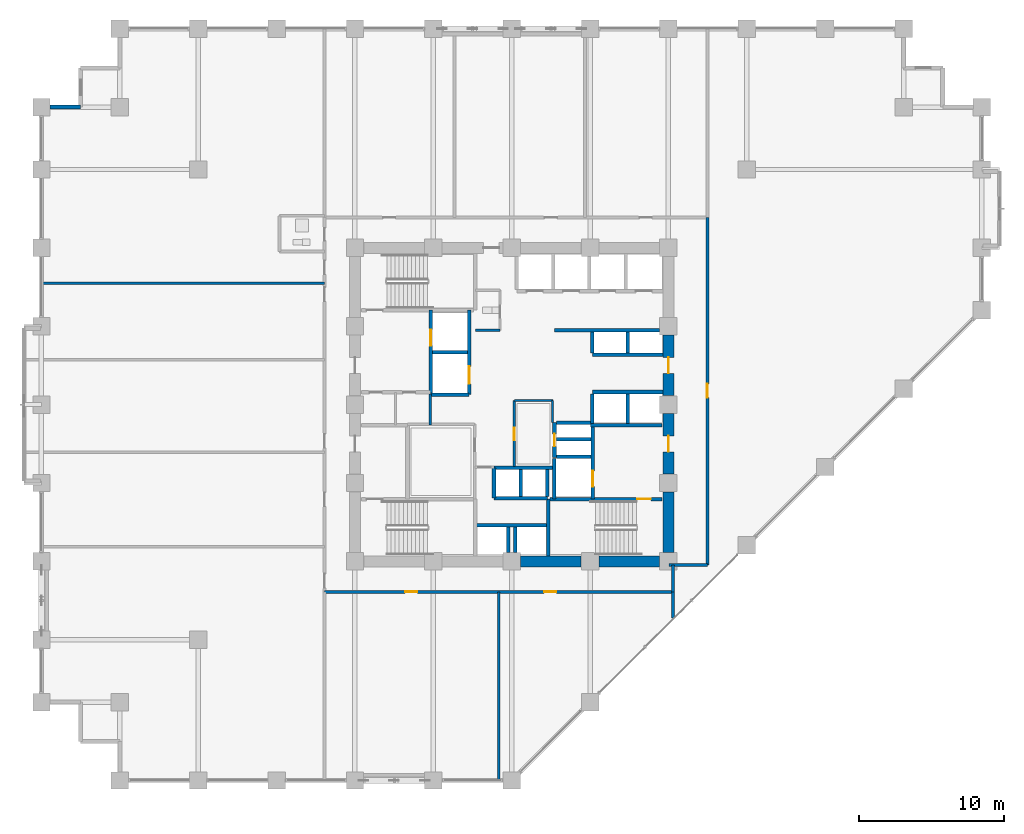
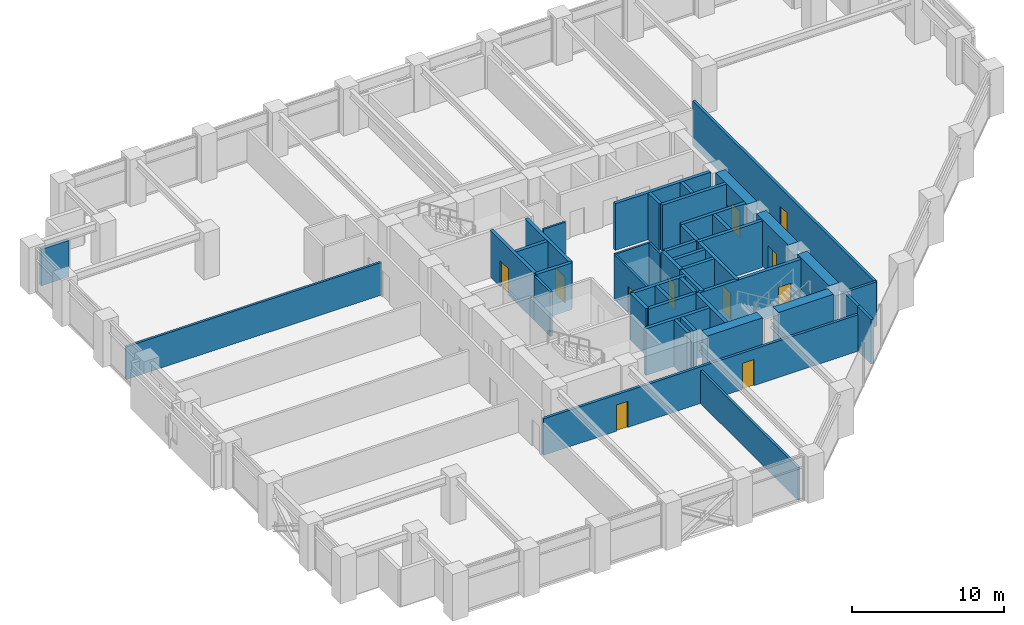
# One storey, part 20 of 26: 46 walls, 11 doors, 11 openings.
"""IFC4 building model written with IfcOpenShell, lengths in metres."""

from ifc_helpers import new_model, si_unit, direction, frame, frame_2d, origin, place, context, subcontext, project, spatial, rectangle, extrude, material, layer, layer_set, type_object, element, fill, save


model = new_model("IFC4")

# Units and contexts
model_context = context("Model", 3, precision=1e-05, world=origin(), true_north=direction((0.0, 1.0)))
body_context = subcontext(model_context, "Body", "Model", "MODEL_VIEW")
ifc_project = project(units=[si_unit("LENGTHUNIT", "METRE"), si_unit("AREAUNIT", "SQUARE_METRE"), si_unit("VOLUMEUNIT", "CUBIC_METRE"), si_unit("PLANEANGLEUNIT", "RADIAN"), si_unit("MASSUNIT", "GRAM", prefix="KILO")], contexts=[model_context])

# Site, building, storey
site_placement = place(None, origin())
site = spatial("IfcSite", under=ifc_project, at=site_placement, CompositionType="ELEMENT")
building_placement = place(site_placement, origin())
building = spatial("IfcBuilding", under=site, at=building_placement, Name="Surkhivell Harbour Commons", CompositionType="ELEMENT")
storey_placement = place(building_placement, frame((0.0, 0.0, 60.0)))
storey = spatial("IfcBuildingStorey", under=building, at=storey_placement, Name="L15", CompositionType="ELEMENT", Elevation=60.0)

# Wall
ifc_material_1 = material(Name="Concrete C60/75", Category="concrete")
ifc_layer_1 = layer(ifc_material_1, 0.75)
ifc_layer_set_1 = layer_set([ifc_layer_1], Name="Concrete C60/75")
wall_type_1 = type_object("IfcWallType", Name="WAL-CORE-750", PredefinedType="SHEAR", material=ifc_layer_set_1)
wall_1_placement = place(storey_placement, frame((10.800048828125, -10.18994140625, 0.0), z_axis=(0.0, 0.0, 1.0), x_axis=(0.0, 1.0, 0.0)))
element("IfcWall", 1, at=wall_1_placement, inside=storey, type_object=wall_type_1, Name="L15 Core Shear Wall East 1", PredefinedType="SHEAR", context=body_context, shape_type="SweptSolid", body=[
    extrude(rectangle(XDim=4.179931640625, YDim=0.75, at=frame_2d((2.08984375, 0.0))), origin(), (0.0, 0.0, 1.0), 3.75),
])

# Wall, opening, door
wall_2_placement = place(storey_placement, frame((10.800048828125, -4.7900390625, 0.0), z_axis=(0.0, 0.0, 1.0), x_axis=(0.0, 1.0, 0.0)))
wall_2 = element("IfcWall", 2, at=wall_2_placement, inside=storey, type_object=wall_type_1, Name="L15 Core Shear Wall East 2", PredefinedType="SHEAR", context=body_context, shape_type="SweptSolid", body=[
    extrude(rectangle(XDim=4.179931640625, YDim=0.75, at=frame_2d((2.08984375, 0.0))), origin(), (0.0, 0.0, 1.0), 3.75),
])
opening_1_placement = place(wall_2_placement, frame((1.5400390625, 0.0, 0.0)))
opening_1 = element("IfcOpeningElement", 3, at=opening_1_placement, cuts=wall_2, Name="Opening ID-1", PredefinedType="OPENING", context=body_context, shape_type="SweptSolid", body=[
    extrude(rectangle(XDim=1.10009765625, YDim=2.10009765625, at=frame_2d((0.550048828125, 1.050048828125))), frame((0.0, 0.385009765625, 0.0), z_axis=(0.0, -1.0, 0.0), x_axis=(1.0, 0.0, 0.0)), (0.0, 0.0, 1.0), 0.77001953125),
])
ifc_material_2 = material(Name="Hardwood-veneered fire-rated door leaf", Category="wood")
door_type_1 = type_object("IfcDoorType", Name="DOR-FD120-1100", OperationType="NOTDEFINED", PredefinedType="DOOR", material=ifc_material_2)
door_1_placement = place(opening_1_placement, origin())
door_1 = element("IfcDoor", 4, at=door_1_placement, inside=storey, type_object=door_type_1, Name="L15 Firefighting Lobby 2 Corridor Door", OperationType="SINGLE_SWING_RIGHT", OverallHeight=2.10009765625, OverallWidth=1.10009765625, PredefinedType="DOOR", context=body_context, shape_type="SweptSolid", body=[
    extrude(rectangle(XDim=1.10009765625, YDim=2.10009765625, at=frame_2d((0.550048828125, 1.050048828125))), frame((0.0, 0.02490234375, 0.0), z_axis=(0.0, -1.0, 0.0), x_axis=(1.0, 0.0, 0.0)), (0.0, 0.0, 1.0), 0.050048828125),
])
fill(opening_1, door_1)

# Wall
wall_3_placement = place(storey_placement, frame((0.610107421875, -10.800048828125, 0.0), z_axis=(0.0, 0.0, 1.0), x_axis=(1.0, 0.0, 0.0)))
element("IfcWall", 5, at=wall_3_placement, inside=storey, type_object=wall_type_1, Name="L15 Core Shear Wall South 3", PredefinedType="SHEAR", context=body_context, shape_type="SweptSolid", body=[
    extrude(rectangle(XDim=4.179931640625, YDim=0.75, at=frame_2d((2.08984375, 0.0))), origin(), (0.0, 0.0, 1.0), 3.75),
])

# Wall, opening, door
wall_4_placement = place(storey_placement, frame((10.800048828125, 0.610107421875, 0.0), z_axis=(0.0, 0.0, 1.0), x_axis=(0.0, 1.0, 0.0)))
wall_4 = element("IfcWall", 6, at=wall_4_placement, inside=storey, type_object=wall_type_1, Name="L15 Core Shear Wall East 3", PredefinedType="SHEAR", context=body_context, shape_type="SweptSolid", body=[
    extrude(rectangle(XDim=4.179931640625, YDim=0.75, at=frame_2d((2.08984375, 0.0))), origin(), (0.0, 0.0, 1.0), 3.75),
])
opening_2_placement = place(wall_4_placement, frame((1.5400390625, 0.0, 0.0)))
opening_2 = element("IfcOpeningElement", 7, at=opening_2_placement, cuts=wall_4, Name="Opening ID-2", PredefinedType="OPENING", context=body_context, shape_type="SweptSolid", body=[
    extrude(rectangle(XDim=1.10009765625, YDim=2.10009765625, at=frame_2d((0.550048828125, 1.050048828125))), frame((0.0, 0.385009765625, 0.0), z_axis=(0.0, -1.0, 0.0), x_axis=(1.0, 0.0, 0.0)), (0.0, 0.0, 1.0), 0.77001953125),
])
door_type_2 = type_object("IfcDoorType", Name="DOR-FD60-1100", OperationType="NOTDEFINED", PredefinedType="DOOR", material=ifc_material_2)
door_2_placement = place(opening_2_placement, origin())
door_2 = element("IfcDoor", 8, at=door_2_placement, inside=storey, type_object=door_type_2, Name="L15 Mid-Rise Lobby East Door", OperationType="SINGLE_SWING_LEFT", OverallHeight=2.10009765625, OverallWidth=1.10009765625, PredefinedType="DOOR", context=body_context, shape_type="SweptSolid", body=[
    extrude(rectangle(XDim=1.10009765625, YDim=2.10009765625, at=frame_2d((0.550048828125, 1.050048828125))), frame((0.0, 0.02490234375, 0.0), z_axis=(0.0, -1.0, 0.0), x_axis=(1.0, 0.0, 0.0)), (0.0, 0.0, 1.0), 0.050048828125),
])
fill(opening_2, door_2)

# Walls
wall_5_placement = place(storey_placement, frame((6.010009765625, -10.800048828125, 0.0), z_axis=(0.0, 0.0, 1.0), x_axis=(1.0, 0.0, 0.0)))
element("IfcWall", 9, at=wall_5_placement, inside=storey, type_object=wall_type_1, Name="L15 Core Shear Wall South 4", PredefinedType="SHEAR", context=body_context, shape_type="SweptSolid", body=[
    extrude(rectangle(XDim=4.179931640625, YDim=0.75, at=frame_2d((2.08984375, 0.0))), origin(), (0.0, 0.0, 1.0), 3.75),
])
ifc_material_3 = material(Name="Terracotta-clad reinforced concrete C45/55", Category="masonry")
ifc_layer_2 = layer(ifc_material_3, 0.280029296875)
ifc_layer_set_2 = layer_set([ifc_layer_2], Name="Terracotta-clad reinforced concrete C45/55")
wall_type_2 = type_object("IfcWallType", Name="WAL-EXT-TER280", PredefinedType="STANDARD", material=ifc_layer_set_2)
wall_6_placement = place(storey_placement, frame((-29.699951171875, 20.5, 0.0), z_axis=(0.0, 0.0, 1.0), x_axis=(-1.0, 0.0, 0.0)))
element("IfcWall", 10, at=wall_6_placement, inside=storey, type_object=wall_type_2, Name="L15 Serrated Corner Facade Wall 11", PredefinedType="STANDARD", context=body_context, shape_type="SweptSolid", body=[
    extrude(rectangle(XDim=2.10205078125, YDim=0.280029296875, at=frame_2d((1.051025390625, 0.0))), origin(), (0.0, 0.0, 1.0), 2.929931640625),
])
ifc_material_4 = material(Name="Twin-stud acoustic fireboard partition", Category="other")
ifc_layer_3 = layer(ifc_material_4, 0.14990234375)
ifc_layer_set_3 = layer_set([ifc_layer_3], Name="Twin-stud acoustic fireboard partition")
wall_type_3 = type_object("IfcWallType", Name="WAL-INT-150", PredefinedType="PARTITIONING", material=ifc_layer_set_3)
wall_7_placement = place(storey_placement, frame((-2.47998046875, 5.1201171875, 0.0), z_axis=(0.0, 0.0, 1.0), x_axis=(1.0, 0.0, 0.0)))
element("IfcWall", 11, at=wall_7_placement, inside=storey, type_object=wall_type_3, Name="L15 Core Accessible WC South Wall", PredefinedType="PARTITIONING", context=body_context, shape_type="SweptSolid", body=[
    extrude(rectangle(XDim=1.679931640625, YDim=0.14990234375, at=frame_2d((0.83984375, 0.0))), origin(), (0.0, 0.0, 1.0), 3.570068359375),
])
wall_8_placement = place(storey_placement, frame((2.820068359375, -1.25, 0.0), z_axis=(0.0, 0.0, 1.0), x_axis=(0.0, 1.0, 0.0)))
element("IfcWall", 12, at=wall_8_placement, inside=storey, type_object=wall_type_3, Name="L15 Central Music East Wall", PredefinedType="PARTITIONING", context=body_context, shape_type="SweptSolid", body=[
    extrude(rectangle(XDim=1.530029296875, YDim=0.14990234375, at=frame_2d((0.76513671875, 0.0))), origin(), (0.0, 0.0, 1.0), 3.570068359375),
])
wall_9_placement = place(storey_placement, frame((0.179931640625, 0.280029296875, 0.0), z_axis=(0.0, 0.0, 1.0), x_axis=(1.0, 0.0, 0.0)))
element("IfcWall", 13, at=wall_9_placement, inside=storey, type_object=wall_type_3, Name="L15 Central Music North Wall", PredefinedType="PARTITIONING", context=body_context, shape_type="SweptSolid", body=[
    extrude(rectangle(XDim=2.670166015625, YDim=0.14990234375, at=frame_2d((1.3349609375, 0.0))), origin(), (0.0, 0.0, 1.0), 3.570068359375),
])

# Wall, opening, door
wall_10_placement = place(storey_placement, frame((0.179931640625, -4.25, 0.0), z_axis=(0.0, 0.0, 1.0), x_axis=(0.0, 1.0, 0.0)))
wall_10 = element("IfcWall", 14, at=wall_10_placement, inside=storey, type_object=wall_type_3, Name="L15 Central Music West Wall", PredefinedType="PARTITIONING", context=body_context, shape_type="SweptSolid", body=[
    extrude(rectangle(XDim=4.530029296875, YDim=0.14990234375, at=frame_2d((2.26513671875, 0.0))), origin(), (0.0, 0.0, 1.0), 3.570068359375),
])
opening_3_placement = place(wall_10_placement, frame((1.800048828125, 0.0, 0.0)))
opening_3 = element("IfcOpeningElement", 15, at=opening_3_placement, cuts=wall_10, Name="Opening ID-6", PredefinedType="OPENING", context=body_context, shape_type="SweptSolid", body=[
    extrude(rectangle(XDim=0.85009765625, YDim=2.10009765625, at=frame_2d((0.425048828125, 1.050048828125))), frame((0.0, 0.0849609375, 0.0), z_axis=(0.0, -1.0, 0.0), x_axis=(1.0, 0.0, 0.0)), (0.0, 0.0, 1.0), 0.169921875),
])
door_type_3 = type_object("IfcDoorType", Name="DOR-FD30-850", OperationType="NOTDEFINED", PredefinedType="DOOR", material=ifc_material_2)
door_3_placement = place(opening_3_placement, origin())
door_3 = element("IfcDoor", 16, at=door_3_placement, inside=storey, type_object=door_type_3, Name="L15 Central Music Door", OperationType="SINGLE_SWING_RIGHT", OverallHeight=2.10009765625, OverallWidth=0.85009765625, PredefinedType="DOOR", context=body_context, shape_type="SweptSolid", body=[
    extrude(rectangle(XDim=0.85009765625, YDim=2.10009765625, at=frame_2d((0.425048828125, 1.050048828125))), frame((0.0, 0.02490234375, 0.0), z_axis=(0.0, -1.0, 0.0), x_axis=(1.0, 0.0, 0.0)), (0.0, 0.0, 1.0), 0.050048828125),
])
fill(opening_3, door_3)

# Walls
ifc_material_5 = material(Name="High-density acoustic blockwork fire partition", Category="masonry")
ifc_layer_4 = layer(ifc_material_5, 0.175048828125)
ifc_layer_set_4 = layer_set([ifc_layer_4], Name="High-density acoustic blockwork fire partition")
wall_type_4 = type_object("IfcWallType", Name="WAL-INT-175", PredefinedType="PARTITIONING", material=ifc_layer_set_4)
wall_11_placement = place(storey_placement, frame((-5.6201171875, -1.419921875, 0.0), z_axis=(0.0, 0.0, 1.0), x_axis=(0.0, 1.0, 0.0)))
element("IfcWall", 17, at=wall_11_placement, inside=storey, type_object=wall_type_4, Name="L15 West Core Bay East Wall", PredefinedType="PARTITIONING", context=body_context, shape_type="SweptSolid", body=[
    extrude(rectangle(XDim=2.139892578125, YDim=0.175048828125, at=frame_2d((1.06982421875, 0.0))), origin(), (0.0, 0.0, 1.0), 3.570068359375),
])
wall_12_placement = place(storey_placement, frame((-0.89990234375, -25.840087890625, 0.0), z_axis=(0.0, 0.0, 1.0), x_axis=(0.0, 1.0, 0.0)))
element("IfcWall", 18, at=wall_12_placement, inside=storey, type_object=wall_type_4, Name="L15 South Partition P1", PredefinedType="PARTITIONING", context=body_context, shape_type="SweptSolid", body=[
    extrude(rectangle(XDim=12.940185546875, YDim=0.175048828125, at=frame_2d((6.47021484375, 0.0))), origin(), (0.0, 0.0, 1.0), 2.623046875),
])
wall_13_placement = place(storey_placement, frame((-32.340087890625, 8.35009765625, 0.0), z_axis=(0.0, 0.0, 1.0), x_axis=(1.0, 0.0, 0.0)))
element("IfcWall", 19, at=wall_13_placement, inside=storey, type_object=wall_type_4, Name="L15 West Partition PTOP", PredefinedType="PARTITIONING", context=body_context, shape_type="SweptSolid", body=[
    extrude(rectangle(XDim=19.440185546875, YDim=0.175048828125, at=frame_2d((9.72021484375, 0.0))), origin(), (0.0, 0.0, 1.0), 2.623046875),
])
ifc_material_6 = material(Name="Autoclaved aerated concrete blockwork and fire plaster", Category="masonry")
ifc_layer_5 = layer(ifc_material_6, 0.199951171875)
ifc_layer_set_5 = layer_set([ifc_layer_5], Name="Autoclaved aerated concrete blockwork and fire plaster")
wall_type_5 = type_object("IfcWallType", Name="WAL-INT-200", PredefinedType="PARTITIONING", material=ifc_layer_set_5)
wall_14_placement = place(storey_placement, frame((11.10009765625, -14.715087890625, 0.0), z_axis=(0.0, 0.0, 1.0), x_axis=(0.0, 1.0, 0.0)))
element("IfcWall", 20, at=wall_14_placement, inside=storey, type_object=wall_type_5, Name="L15 South-East Wing Corner Divider", PredefinedType="PARTITIONING", context=body_context, shape_type="SweptSolid", body=[
    extrude(rectangle(XDim=1.815185546875, YDim=0.199951171875, at=frame_2d((0.90771484375, 0.0))), origin(), (0.0, 0.0, 1.0), 3.570068359375),
])

# Wall, opening, door
wall_15_placement = place(storey_placement, frame((13.47998046875, -11.0400390625, 0.0), z_axis=(0.0, 0.0, 1.0), x_axis=(0.0, 1.0, 0.0)))
wall_15 = element("IfcWall", 21, at=wall_15_placement, inside=storey, type_object=wall_type_5, Name="L15 Corridor East Wall", PredefinedType="PARTITIONING", context=body_context, shape_type="SweptSolid", body=[
    extrude(rectangle(XDim=23.93994140625, YDim=0.199951171875, at=frame_2d((11.969970703125, 0.0))), origin(), (0.0, 0.0, 1.0), 3.570068359375),
])
opening_4_placement = place(wall_15_placement, frame((11.52001953125, 0.0, 0.0)))
opening_4 = element("IfcOpeningElement", 22, at=opening_4_placement, cuts=wall_15, Name="Opening ID-4", PredefinedType="OPENING", context=body_context, shape_type="SweptSolid", body=[
    extrude(rectangle(XDim=0.949951171875, YDim=2.10009765625, at=frame_2d((0.47509765625, 1.050048828125))), frame((0.0, 0.10986328125, 0.0), z_axis=(0.0, -1.0, 0.0), x_axis=(1.0, 0.0, 0.0)), (0.0, 0.0, 1.0), 0.219970703125),
])
door_type_4 = type_object("IfcDoorType", Name="DOR-FD60-950", OperationType="NOTDEFINED", PredefinedType="DOOR", material=ifc_material_2)
door_4_placement = place(opening_4_placement, origin())
door_4 = element("IfcDoor", 23, at=door_4_placement, inside=storey, type_object=door_type_4, Name="L15 Harbour Social Lounge East Door", OperationType="SINGLE_SWING_RIGHT", OverallHeight=2.10009765625, OverallWidth=0.949951171875, PredefinedType="DOOR", context=body_context, shape_type="SweptSolid", body=[
    extrude(rectangle(XDim=0.949951171875, YDim=2.10009765625, at=frame_2d((0.47509765625, 1.050048828125))), frame((0.0, 0.02490234375, 0.0), z_axis=(0.0, -1.0, 0.0), x_axis=(1.0, 0.0, 0.0)), (0.0, 0.0, 1.0), 0.050048828125),
])
fill(opening_4, door_4)

# Wall
wall_16_placement = place(storey_placement, frame((10.85009765625, -11.0400390625, 0.0), z_axis=(0.0, 0.0, 1.0), x_axis=(1.0, 0.0, 0.0)))
element("IfcWall", 24, at=wall_16_placement, inside=storey, type_object=wall_type_5, Name="L15 Corridor East South Closure Wall", PredefinedType="PARTITIONING", context=body_context, shape_type="SweptSolid", body=[
    extrude(rectangle(XDim=2.6298828125, YDim=0.199951171875, at=frame_2d((1.31494140625, 0.0))), origin(), (0.0, 0.0, 1.0), 3.570068359375),
])

# Wall, openings, doors
wall_17_placement = place(storey_placement, frame((-12.89990234375, -12.89990234375, 0.0), z_axis=(0.0, 0.0, 1.0), x_axis=(1.0, 0.0, 0.0)))
wall_17 = element("IfcWall", 25, at=wall_17_placement, inside=storey, type_object=wall_type_5, Name="L15 Corridor South Wall", PredefinedType="PARTITIONING", context=body_context, shape_type="SweptSolid", body=[
    extrude(rectangle(XDim=24.0, YDim=0.199951171875, at=frame_2d((12.0, 0.0))), origin(), (0.0, 0.0, 1.0), 2.929931640625),
])
opening_5_placement = place(wall_17_placement, frame((5.550048828125, 0.0, 0.0)))
opening_5 = element("IfcOpeningElement", 26, at=opening_5_placement, cuts=wall_17, Name="Opening ID-6", PredefinedType="OPENING", context=body_context, shape_type="SweptSolid", body=[
    extrude(rectangle(XDim=0.85009765625, YDim=2.10009765625, at=frame_2d((0.425048828125, 1.050048828125))), frame((0.0, 0.10986328125, 0.0), z_axis=(0.0, -1.0, 0.0), x_axis=(1.0, 0.0, 0.0)), (0.0, 0.0, 1.0), 0.219970703125),
])
opening_6_placement = place(wall_17_placement, frame((15.131103515625, 0.0, 0.0)))
opening_6 = element("IfcOpeningElement", 27, at=opening_6_placement, cuts=wall_17, Name="Opening ID-6", PredefinedType="OPENING", context=body_context, shape_type="SweptSolid", body=[
    extrude(rectangle(XDim=0.85009765625, YDim=2.10009765625, at=frame_2d((0.425048828125, 1.050048828125))), frame((0.0, 0.10986328125, 0.0), z_axis=(0.0, -1.0, 0.0), x_axis=(1.0, 0.0, 0.0)), (0.0, 0.0, 1.0), 0.219970703125),
])
door_5_placement = place(opening_5_placement, origin())
door_5 = element("IfcDoor", 28, at=door_5_placement, inside=storey, type_object=door_type_3, Name="L15 Campus Co-Op Bookshop South Door", OperationType="SINGLE_SWING_LEFT", OverallHeight=2.10009765625, OverallWidth=0.85009765625, PredefinedType="DOOR", context=body_context, shape_type="SweptSolid", body=[
    extrude(rectangle(XDim=0.85009765625, YDim=2.10009765625, at=frame_2d((0.425048828125, 1.050048828125))), frame((0.0, 0.02490234375, 0.0), z_axis=(0.0, -1.0, 0.0), x_axis=(1.0, 0.0, 0.0)), (0.0, 0.0, 1.0), 0.050048828125),
])
fill(opening_5, door_5)
door_6_placement = place(opening_6_placement, origin())
door_6 = element("IfcDoor", 29, at=door_6_placement, inside=storey, type_object=door_type_3, Name="L15 Harbour Espresso Cafe Shop South Door", OperationType="SINGLE_SWING_RIGHT", OverallHeight=2.10009765625, OverallWidth=0.85009765625, PredefinedType="DOOR", context=body_context, shape_type="SweptSolid", body=[
    extrude(rectangle(XDim=0.85009765625, YDim=2.10009765625, at=frame_2d((0.425048828125, 1.050048828125))), frame((0.0, 0.02490234375, 0.0), z_axis=(0.0, -1.0, 0.0), x_axis=(1.0, 0.0, 0.0)), (0.0, 0.0, 1.0), 0.050048828125),
])
fill(opening_6, door_6)

# Wall
wall_18_placement = place(storey_placement, frame((11.10009765625, -12.89990234375, 0.0), z_axis=(0.0, 0.0, 1.0), x_axis=(0.0, 1.0, 0.0)))
element("IfcWall", 30, at=wall_18_placement, inside=storey, type_object=wall_type_5, Name="L15 Corridor SE Closure Wall", PredefinedType="PARTITIONING", context=body_context, shape_type="SweptSolid", body=[
    extrude(rectangle(XDim=1.85986328125, YDim=0.199951171875, at=frame_2d((0.929931640625, 0.0))), origin(), (0.0, 0.0, 1.0), 3.570068359375),
])

# Wall, opening, door
ifc_material_7 = material(Name="Concrete C50/60", Category="concrete")
ifc_layer_6 = layer(ifc_material_7, 0.25)
ifc_layer_set_6 = layer_set([ifc_layer_6], Name="Concrete C50/60")
wall_type_6 = type_object("IfcWallType", Name="WAL-SHAFT-250", PredefinedType="SHEAR", material=ifc_layer_set_6)
wall_19_placement = place(storey_placement, frame((-5.580078125, 0.719970703125, 0.0), z_axis=(0.0, 0.0, 1.0), x_axis=(0.0, 1.0, 0.0)))
wall_19 = element("IfcWall", 31, at=wall_19_placement, inside=storey, type_object=wall_type_6, Name="L15 Firefighting Lobby 1 East Shaft Wall", PredefinedType="SHEAR", context=body_context, shape_type="SweptSolid", body=[
    extrude(rectangle(XDim=5.7900390625, YDim=0.25, at=frame_2d((2.89501953125, 0.0))), origin(), (0.0, 0.0, 1.0), 3.75),
])
opening_7_placement = place(wall_19_placement, frame((3.35009765625, 0.0, 0.0)))
opening_7 = element("IfcOpeningElement", 32, at=opening_7_placement, cuts=wall_19, Name="Opening LD-1", PredefinedType="OPENING", context=body_context, shape_type="SweptSolid", body=[
    extrude(rectangle(XDim=1.10009765625, YDim=2.10009765625, at=frame_2d((0.550048828125, 1.050048828125))), frame((0.0, 0.135009765625, 0.0), z_axis=(0.0, -1.0, 0.0), x_axis=(1.0, 0.0, 0.0)), (0.0, 0.0, 1.0), 0.27001953125),
])
ifc_material_8 = material(Name="Brushed stainless steel S355", Category="steel")
door_type_5 = type_object("IfcDoorType", Name="DOR-LD-1100", OperationType="SLIDING_TO_LEFT", PredefinedType="DOOR", material=ifc_material_8)
door_7_placement = place(opening_7_placement, origin())
door_7 = element("IfcDoor", 33, at=door_7_placement, inside=storey, type_object=door_type_5, Name="L15 Lift Landing Door LD-FFL1", OperationType="SLIDING_TO_LEFT", OverallHeight=2.10009765625, OverallWidth=1.10009765625, PredefinedType="DOOR", context=body_context, shape_type="SweptSolid", body=[
    extrude(rectangle(XDim=1.10009765625, YDim=2.10009765625, at=frame_2d((0.550048828125, 1.050048828125))), frame((0.0, 0.02490234375, 0.0), z_axis=(0.0, -1.0, 0.0), x_axis=(1.0, 0.0, 0.0)), (0.0, 0.0, 1.0), 0.050048828125),
])
fill(opening_7, door_7)

# Walls
wall_20_placement = place(storey_placement, frame((2.929931640625, -6.510009765625, 0.0), z_axis=(0.0, 0.0, 1.0), x_axis=(0.0, 1.0, 0.0)))
element("IfcWall", 34, at=wall_20_placement, inside=storey, type_object=wall_type_6, Name="L15 FFL2 West Shaft Wall", PredefinedType="SHEAR", context=body_context, shape_type="SweptSolid", body=[
    extrude(rectangle(XDim=2.7900390625, YDim=0.25, at=frame_2d((1.39501953125, 0.0))), origin(), (0.0, 0.0, 1.0), 3.75),
])
wall_21_placement = place(storey_placement, frame((5.43994140625, -1.419921875, 0.0), z_axis=(0.0, 0.0, 1.0), x_axis=(1.0, 0.0, 0.0)))
element("IfcWall", 35, at=wall_21_placement, inside=storey, type_object=wall_type_6, Name="L15 Firefighting Lobby 2 North Wall", PredefinedType="SHEAR", context=body_context, shape_type="SweptSolid", body=[
    extrude(rectangle(XDim=4.900146484375, YDim=0.25, at=frame_2d((2.4501953125, 0.0))), origin(), (0.0, 0.0, 1.0), 3.75),
])
wall_22_placement = place(storey_placement, frame((3.080078125, -3.60009765625, 0.0), z_axis=(0.0, 0.0, 1.0), x_axis=(1.0, 0.0, 0.0)))
element("IfcWall", 36, at=wall_22_placement, inside=storey, type_object=wall_type_6, Name="L15 FFL2 North Shaft Wall", PredefinedType="SHEAR", context=body_context, shape_type="SweptSolid", body=[
    extrude(rectangle(XDim=2.369873046875, YDim=0.25, at=frame_2d((1.18505859375, 0.0))), origin(), (0.0, 0.0, 1.0), 3.75),
])

# Wall, opening, door
wall_23_placement = place(storey_placement, frame((5.580078125, -6.510009765625, 0.0), z_axis=(0.0, 0.0, 1.0), x_axis=(0.0, 1.0, 0.0)))
wall_23 = element("IfcWall", 37, at=wall_23_placement, inside=storey, type_object=wall_type_6, Name="L15 Firefighting Lobby 2 West Shaft Wall", PredefinedType="SHEAR", context=body_context, shape_type="SweptSolid", body=[
    extrude(rectangle(XDim=5.090087890625, YDim=0.25, at=frame_2d((2.544921875, 0.0))), origin(), (0.0, 0.0, 1.0), 3.75),
])
opening_8_placement = place(wall_23_placement, frame((0.85009765625, 0.0, 0.0)))
opening_8 = element("IfcOpeningElement", 38, at=opening_8_placement, cuts=wall_23, Name="Opening LD-1", PredefinedType="OPENING", context=body_context, shape_type="SweptSolid", body=[
    extrude(rectangle(XDim=1.10009765625, YDim=2.10009765625, at=frame_2d((0.550048828125, 1.050048828125))), frame((0.0, 0.135009765625, 0.0), z_axis=(0.0, -1.0, 0.0), x_axis=(1.0, 0.0, 0.0)), (0.0, 0.0, 1.0), 0.27001953125),
])
door_8_placement = place(opening_8_placement, origin())
door_8 = element("IfcDoor", 39, at=door_8_placement, inside=storey, type_object=door_type_5, Name="L15 Lift Landing Door LD-FFL2", OperationType="SLIDING_TO_RIGHT", OverallHeight=2.10009765625, OverallWidth=1.10009765625, PredefinedType="DOOR", context=body_context, shape_type="SweptSolid", body=[
    extrude(rectangle(XDim=1.10009765625, YDim=2.10009765625, at=frame_2d((0.550048828125, 1.050048828125))), frame((0.0, 0.02490234375, 0.0), z_axis=(0.0, -1.0, 0.0), x_axis=(1.0, 0.0, 0.0)), (0.0, 0.0, 1.0), 0.050048828125),
])
fill(opening_8, door_8)

# Walls
for number, where, z_axis, x_axis, name in (
    (40, (0.6201171875, -6.340087890625, 0.0), (0.0, 0.0, 1.0), (0.0, 1.0, 0.0), "L15 High-Rise Side Wall N"),
    (41, (2.449951171875, -6.340087890625, 0.0), (0.0, 0.0, 1.0), (0.0, 1.0, 0.0), "L15 High-Rise Side Wall N"),
):
    element("IfcWall", number, at=place(storey_placement, frame(where, z_axis=z_axis, x_axis=x_axis)), inside=storey, type_object=wall_type_6, Name=name, PredefinedType="SHEAR", context=body_context, shape_type="SweptSolid", body=[
        extrude(rectangle(XDim=1.880126953125, YDim=0.25, at=frame_2d((0.93994140625, 0.0))), origin(), (0.0, 0.0, 1.0), 3.75),
    ])
for number, where, z_axis, x_axis, name in (
    (42, (-0.25, -10.199951171875, 0.0), (0.0, 0.0, 1.0), (0.0, 1.0, 0.0), "L15 High-Rise Side Wall S"),
    (43, (0.25, -10.199951171875, 0.0), (0.0, 0.0, 1.0), (0.0, 1.0, 0.0), "L15 High-Rise Side Wall S"),
):
    element("IfcWall", number, at=place(storey_placement, frame(where, z_axis=z_axis, x_axis=x_axis)), inside=storey, type_object=wall_type_6, Name=name, PredefinedType="SHEAR", context=body_context, shape_type="SweptSolid", body=[
        extrude(rectangle(XDim=1.760009765625, YDim=0.25, at=frame_2d((0.8798828125, 0.0))), origin(), (0.0, 0.0, 1.0), 3.75),
    ])
wall_24_placement = place(storey_placement, frame((-1.219970703125, -6.43994140625, 0.0), z_axis=(0.0, 0.0, 1.0), x_axis=(0.0, 1.0, 0.0)))
element("IfcWall", 44, at=wall_24_placement, inside=storey, type_object=wall_type_6, Name="L15 High-Rise Passage East Shaft Wall", PredefinedType="SHEAR", context=body_context, shape_type="SweptSolid", body=[
    extrude(rectangle(XDim=2.079833984375, YDim=0.25, at=frame_2d((1.0400390625, 0.0))), origin(), (0.0, 0.0, 1.0), 3.75),
])
wall_25_placement = place(storey_placement, frame((-1.219970703125, -6.43994140625, 0.0), z_axis=(0.0, 0.0, 1.0), x_axis=(1.0, 0.0, 0.0)))
element("IfcWall", 45, at=wall_25_placement, inside=storey, type_object=wall_type_6, Name="L15 High-Rise North Front Shaft Wall", PredefinedType="SHEAR", context=body_context, shape_type="SweptSolid", body=[
    extrude(rectangle(XDim=3.669921875, YDim=0.25, at=frame_2d((1.8349609375, 0.0))), origin(), (0.0, 0.0, 1.0), 3.75),
])
wall_26_placement = place(storey_placement, frame((-2.47998046875, -8.320068359375, 0.0), z_axis=(0.0, 0.0, 1.0), x_axis=(1.0, 0.0, 0.0)))
element("IfcWall", 46, at=wall_26_placement, inside=storey, type_object=wall_type_6, Name="L15 High-Rise South Front Shaft Wall", PredefinedType="SHEAR", context=body_context, shape_type="SweptSolid", body=[
    extrude(rectangle(XDim=4.929931640625, YDim=0.25, at=frame_2d((2.46484375, 0.0))), origin(), (0.0, 0.0, 1.0), 3.75),
])
wall_27_placement = place(storey_placement, frame((-1.219970703125, -4.360107421875, 0.0), z_axis=(0.0, 0.0, 1.0), x_axis=(1.0, 0.0, 0.0)))
element("IfcWall", 47, at=wall_27_placement, inside=storey, type_object=wall_type_6, Name="L15 High-Rise North Back Shaft Wall", PredefinedType="SHEAR", context=body_context, shape_type="SweptSolid", body=[
    extrude(rectangle(XDim=4.030029296875, YDim=0.25, at=frame_2d((2.01513671875, 0.0))), origin(), (0.0, 0.0, 1.0), 3.75),
])
wall_28_placement = place(storey_placement, frame((2.949951171875, 5.1201171875, 0.0), z_axis=(0.0, 0.0, 1.0), x_axis=(1.0, 0.0, 0.0)))
element("IfcWall", 48, at=wall_28_placement, inside=storey, type_object=wall_type_6, Name="L15 Low-Rise Lobby South Wall", PredefinedType="SHEAR", context=body_context, shape_type="SweptSolid", body=[
    extrude(rectangle(XDim=7.25, YDim=0.25, at=frame_2d((3.625, 0.0))), origin(), (0.0, 0.0, 1.0), 3.75),
])
for number, where, z_axis, x_axis, name in (
    (49, (5.550048828125, 3.550048828125, 0.0), (0.0, 0.0, 1.0), (0.0, 1.0, 0.0), "L15 Mid-Rise Shaft Side Wall N"),
    (50, (8.0, 3.550048828125, 0.0), (0.0, 0.0, 1.0), (0.0, 1.0, 0.0), "L15 Mid-Rise Shaft Side Wall N"),
):
    element("IfcWall", number, at=place(storey_placement, frame(where, z_axis=z_axis, x_axis=x_axis)), inside=storey, type_object=wall_type_6, Name=name, PredefinedType="SHEAR", context=body_context, shape_type="SweptSolid", body=[
        extrude(rectangle(XDim=1.449951171875, YDim=0.25, at=frame_2d((0.72509765625, 0.0))), origin(), (0.0, 0.0, 1.0), 3.75),
    ])
for number, where, z_axis, x_axis, name in (
    (51, (5.550048828125, -1.300048828125, 0.0), (0.0, 0.0, 1.0), (0.0, 1.0, 0.0), "L15 Mid-Rise Shaft Side Wall S"),
    (52, (8.0, -1.300048828125, 0.0), (0.0, 0.0, 1.0), (0.0, 1.0, 0.0), "L15 Mid-Rise Shaft Side Wall S"),
):
    element("IfcWall", number, at=place(storey_placement, frame(where, z_axis=z_axis, x_axis=x_axis)), inside=storey, type_object=wall_type_6, Name=name, PredefinedType="SHEAR", context=body_context, shape_type="SweptSolid", body=[
        extrude(rectangle(XDim=2.0400390625, YDim=0.25, at=frame_2d((1.02001953125, 0.0))), origin(), (0.0, 0.0, 1.0), 3.75),
    ])
for number, where, z_axis, x_axis, name in (
    (53, (5.550048828125, 3.429931640625, 0.0), (0.0, 0.0, 1.0), (1.0, 0.0, 0.0), "L15 Mid-Rise North Front Shaft Wall"),
    (54, (5.550048828125, 0.8701171875, 0.0), (0.0, 0.0, 1.0), (1.0, 0.0, 0.0), "L15 Mid-Rise South Front Shaft Wall"),
):
    element("IfcWall", number, at=place(storey_placement, frame(where, z_axis=z_axis, x_axis=x_axis)), inside=storey, type_object=wall_type_6, Name=name, PredefinedType="SHEAR", context=body_context, shape_type="SweptSolid", body=[
        extrude(rectangle(XDim=4.875, YDim=0.25, at=frame_2d((2.4375, 0.0))), origin(), (0.0, 0.0, 1.0), 3.75),
    ])
for number, where, z_axis, x_axis, name in (
    (55, (3.080078125, -2.3798828125, 0.0), (0.0, 0.0, 1.0), (1.0, 0.0, 0.0), "L15 Riser Divider Wall"),
    (56, (3.080078125, -1.25, 0.0), (0.0, 0.0, 1.0), (1.0, 0.0, 0.0), "L15 Riser North Wall"),
):
    element("IfcWall", number, at=place(storey_placement, frame(where, z_axis=z_axis, x_axis=x_axis)), inside=storey, type_object=wall_type_6, Name=name, PredefinedType="SHEAR", context=body_context, shape_type="SweptSolid", body=[
        extrude(rectangle(XDim=2.369873046875, YDim=0.25, at=frame_2d((1.18505859375, 0.0))), origin(), (0.0, 0.0, 1.0), 3.75),
    ])

# Wall, opening, door
wall_29_placement = place(storey_placement, frame((2.949951171875, -3.64990234375, 0.0), z_axis=(0.0, 0.0, 1.0), x_axis=(0.0, 1.0, 0.0)))
wall_29 = element("IfcWall", 57, at=wall_29_placement, inside=storey, type_object=wall_type_6, Name="L15 Riser Shaft West Wall", PredefinedType="SHEAR", context=body_context, shape_type="SweptSolid", body=[
    extrude(rectangle(XDim=2.39990234375, YDim=0.25, at=frame_2d((1.199951171875, 0.0))), origin(), (0.0, 0.0, 1.0), 3.75),
])
opening_9_placement = place(wall_29_placement, frame((0.77490234375, 0.0, 0.0)))
opening_9 = element("IfcOpeningElement", 58, at=opening_9_placement, cuts=wall_29, Name="Opening ID-6", PredefinedType="OPENING", context=body_context, shape_type="SweptSolid", body=[
    extrude(rectangle(XDim=0.85009765625, YDim=2.10009765625, at=frame_2d((0.425048828125, 1.050048828125))), frame((0.0, 0.135009765625, 0.0), z_axis=(0.0, -1.0, 0.0), x_axis=(1.0, 0.0, 0.0)), (0.0, 0.0, 1.0), 0.27001953125),
])
door_9_placement = place(opening_9_placement, origin())
door_9 = element("IfcDoor", 59, at=door_9_placement, inside=storey, type_object=door_type_3, Name="L15 Electrical Riser Access Door", OperationType="SINGLE_SWING_LEFT", OverallHeight=2.10009765625, OverallWidth=0.85009765625, PredefinedType="DOOR", context=body_context, shape_type="SweptSolid", body=[
    extrude(rectangle(XDim=0.85009765625, YDim=2.10009765625, at=frame_2d((0.425048828125, 1.050048828125))), frame((0.0, 0.02490234375, 0.0), z_axis=(0.0, -1.0, 0.0), x_axis=(1.0, 0.0, 0.0)), (0.0, 0.0, 1.0), 0.050048828125),
])
fill(opening_9, door_9)

wall_30_placement = place(storey_placement, frame((2.639892578125, -6.510009765625, 0.0), z_axis=(0.0, 0.0, 1.0), x_axis=(1.0, 0.0, 0.0)))
wall_30 = element("IfcWall", 60, at=wall_30_placement, inside=storey, type_object=wall_type_6, Name="L15 Stair ST2 North Shear Wall", PredefinedType="SHEAR", context=body_context, shape_type="SweptSolid", body=[
    extrude(rectangle(XDim=7.7001953125, YDim=0.25, at=frame_2d((3.85009765625, 0.0))), origin(), (0.0, 0.0, 1.0), 3.75),
])
opening_10_placement = place(wall_30_placement, frame((6.0, 0.0, 0.0)))
opening_10 = element("IfcOpeningElement", 61, at=opening_10_placement, cuts=wall_30, Name="Opening ID-4", PredefinedType="OPENING", context=body_context, shape_type="SweptSolid", body=[
    extrude(rectangle(XDim=0.949951171875, YDim=2.10009765625, at=frame_2d((0.47509765625, 1.050048828125))), frame((0.0, 0.135009765625, 0.0), z_axis=(0.0, -1.0, 0.0), x_axis=(1.0, 0.0, 0.0)), (0.0, 0.0, 1.0), 0.27001953125),
])
door_10_placement = place(opening_10_placement, origin())
door_10 = element("IfcDoor", 62, at=door_10_placement, inside=storey, type_object=door_type_4, Name="L15 Stair ST2 Exit Door", OperationType="SINGLE_SWING_RIGHT", OverallHeight=2.10009765625, OverallWidth=0.949951171875, PredefinedType="DOOR", context=body_context, shape_type="SweptSolid", body=[
    extrude(rectangle(XDim=0.949951171875, YDim=2.10009765625, at=frame_2d((0.47509765625, 1.050048828125))), frame((0.0, 0.02490234375, 0.0), z_axis=(0.0, -1.0, 0.0), x_axis=(1.0, 0.0, 0.0)), (0.0, 0.0, 1.0), 0.050048828125),
])
fill(opening_10, door_10)

# Wall
wall_31_placement = place(storey_placement, frame((2.510009765625, -10.425048828125, 0.0), z_axis=(0.0, 0.0, 1.0), x_axis=(0.0, 1.0, 0.0)))
element("IfcWall", 63, at=wall_31_placement, inside=storey, type_object=wall_type_6, Name="L15 Stair ST2 West Shear Wall", PredefinedType="SHEAR", context=body_context, shape_type="SweptSolid", body=[
    extrude(rectangle(XDim=3.9150390625, YDim=0.25, at=frame_2d((1.95751953125, 0.0))), origin(), (0.0, 0.0, 1.0), 3.75),
])

# Wall, opening, door
wall_32_placement = place(storey_placement, frame((-2.929931640625, 0.679931640625, 0.0), z_axis=(0.0, 0.0, 1.0), x_axis=(0.0, 1.0, 0.0)))
wall_32 = element("IfcWall", 64, at=wall_32_placement, inside=storey, type_object=wall_type_6, Name="L15 Service and Fire Lift East Shaft Wall", PredefinedType="SHEAR", context=body_context, shape_type="SweptSolid", body=[
    extrude(rectangle(XDim=5.830078125, YDim=0.25, at=frame_2d((2.9150390625, 0.0))), origin(), (0.0, 0.0, 1.0), 3.75),
])
opening_11_placement = place(wall_32_placement, frame((0.75, 0.0, 0.0)))
opening_11 = element("IfcOpeningElement", 65, at=opening_11_placement, cuts=wall_32, Name="Opening LD-2", PredefinedType="OPENING", context=body_context, shape_type="SweptSolid", body=[
    extrude(rectangle(XDim=1.199951171875, YDim=2.10009765625, at=frame_2d((0.60009765625, 1.050048828125))), frame((0.0, 0.135009765625, 0.0), z_axis=(0.0, -1.0, 0.0), x_axis=(1.0, 0.0, 0.0)), (0.0, 0.0, 1.0), 0.27001953125),
])
door_type_6 = type_object("IfcDoorType", Name="DOR-LD-1200", OperationType="SLIDING_TO_LEFT", PredefinedType="DOOR", material=ifc_material_8)
door_11_placement = place(opening_11_placement, origin())
door_11 = element("IfcDoor", 66, at=door_11_placement, inside=storey, type_object=door_type_6, Name="L15 Lift Landing Door LD-SVL1", OperationType="SLIDING_TO_LEFT", OverallHeight=2.10009765625, OverallWidth=1.199951171875, PredefinedType="DOOR", context=body_context, shape_type="SweptSolid", body=[
    extrude(rectangle(XDim=1.199951171875, YDim=2.10009765625, at=frame_2d((0.60009765625, 1.050048828125))), frame((0.0, 0.02490234375, 0.0), z_axis=(0.0, -1.0, 0.0), x_axis=(1.0, 0.0, 0.0)), (0.0, 0.0, 1.0), 0.050048828125),
])
fill(opening_11, door_11)

# Walls
wall_33_placement = place(storey_placement, frame((-5.449951171875, 3.60009765625, 0.0), z_axis=(0.0, 0.0, 1.0), x_axis=(1.0, 0.0, 0.0)))
element("IfcWall", 67, at=wall_33_placement, inside=storey, type_object=wall_type_6, Name="L15 FFL1/SVL1 Shaft Divider", PredefinedType="SHEAR", context=body_context, shape_type="SweptSolid", body=[
    extrude(rectangle(XDim=2.389892578125, YDim=0.25, at=frame_2d((1.19482421875, 0.0))), origin(), (0.0, 0.0, 1.0), 3.75),
])
wall_34_placement = place(storey_placement, frame((-5.580078125, 0.679931640625, 0.0), z_axis=(0.0, 0.0, 1.0), x_axis=(1.0, 0.0, 0.0)))
element("IfcWall", 68, at=wall_34_placement, inside=storey, type_object=wall_type_6, Name="L15 SVL1 South Shaft Wall", PredefinedType="SHEAR", context=body_context, shape_type="SweptSolid", body=[
    extrude(rectangle(XDim=2.650146484375, YDim=0.25, at=frame_2d((1.3251953125, 0.0))), origin(), (0.0, 0.0, 1.0), 3.75),
])

save(model, "model.ifc")
